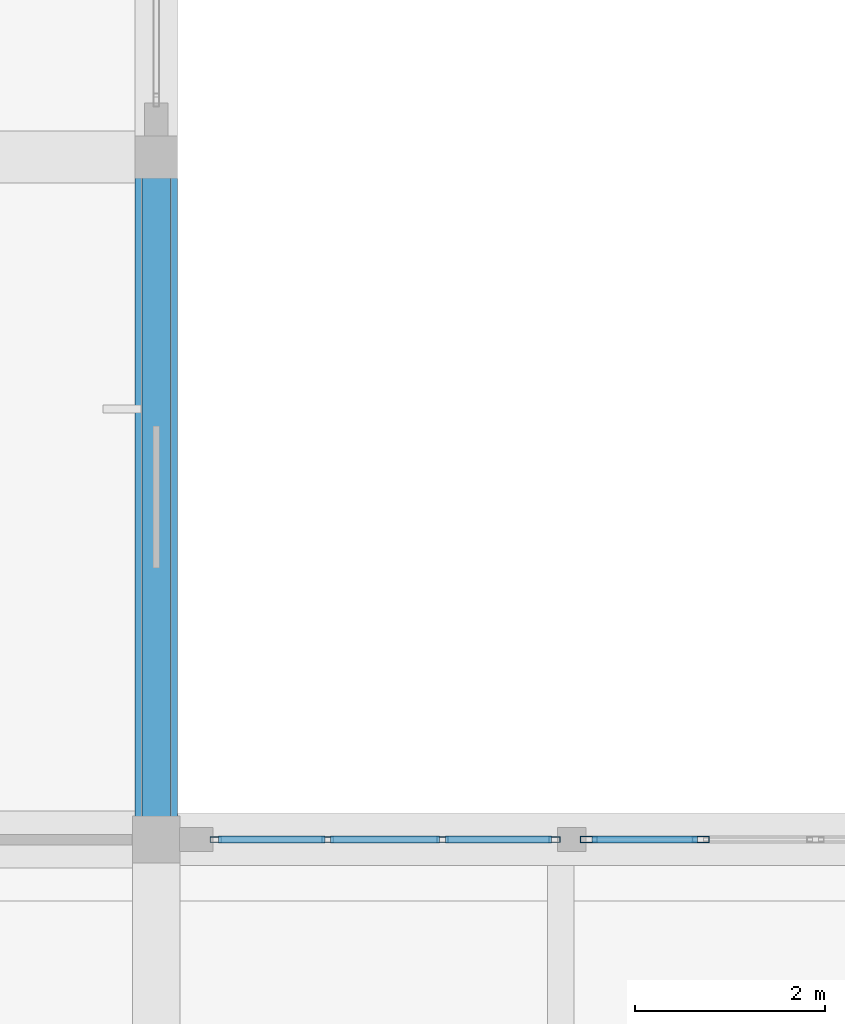
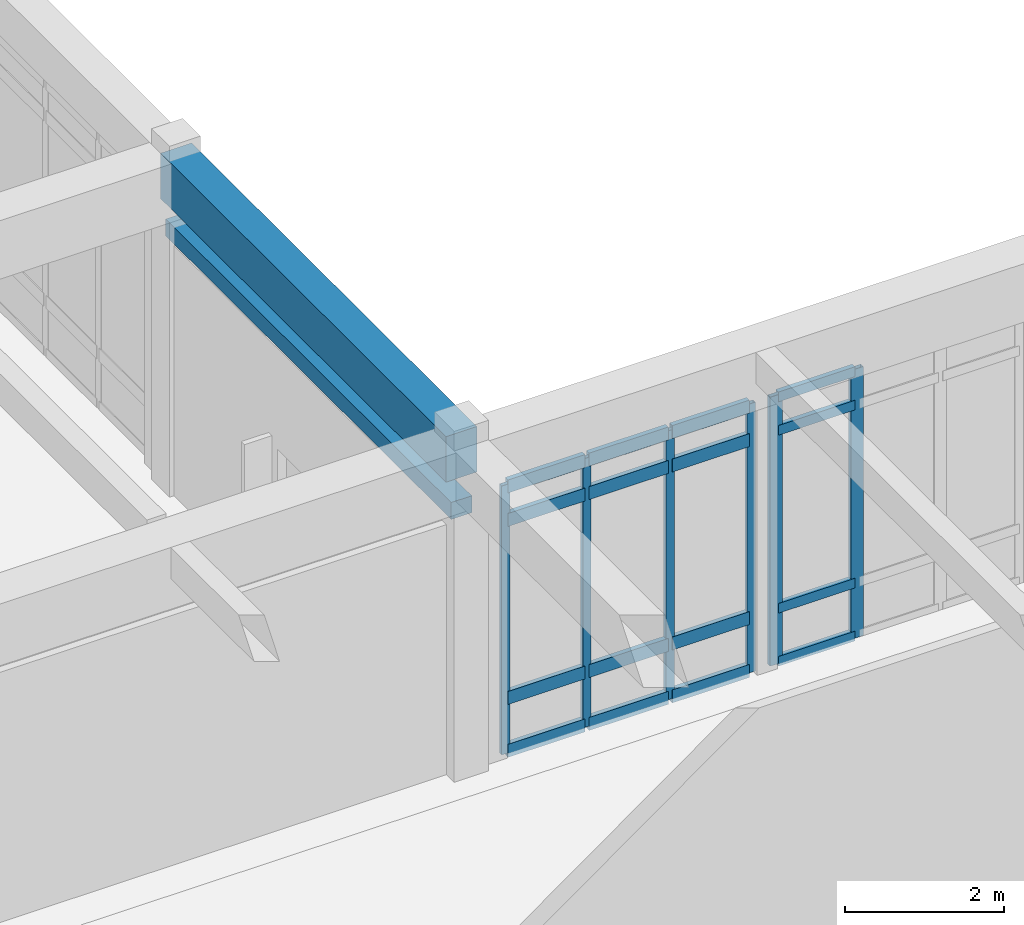
# One storey, part 66 of 138: 22 members, 2 beams, 2 elements without a shape of their own.
"""IFC4 building model written with IfcOpenShell, lengths in metres."""

from ifc_helpers import new_model, si_unit, direction, frame, origin, origin_2d, place, context, subcontext, project, spatial, rectangle, hollow_rectangle, extrude, material, layer, layer_set, material_profile, profile_set, type_object, element, aggregate, save


model = new_model("IFC4")

# Units and contexts
model_context = context("Model", 3, precision=1e-05, world=origin(), true_north=direction((0.0, 1.0)))
body_context = subcontext(model_context, "Body", "Model", "MODEL_VIEW")
ifc_project = project(units=[si_unit("LENGTHUNIT", "METRE"), si_unit("AREAUNIT", "SQUARE_METRE"), si_unit("VOLUMEUNIT", "CUBIC_METRE"), si_unit("PLANEANGLEUNIT", "RADIAN"), si_unit("MASSUNIT", "GRAM", prefix="KILO")], contexts=[model_context])

# Site, building, storey
site_placement = place(None, origin())
site = spatial("IfcSite", under=ifc_project, at=site_placement, CompositionType="ELEMENT")
building_placement = place(site_placement, origin())
building = spatial("IfcBuilding", under=site, at=building_placement, Name="Fikremerkos Civic Library", CompositionType="ELEMENT")
storey_placement = place(building_placement, origin())
storey = spatial("IfcBuildingStorey", under=building, at=storey_placement, Name="L00", CompositionType="ELEMENT", Elevation=0.0)

# Curtain wall, members
ifc_material_1 = material(Name="Anodized aluminium Frame", Category="aluminium")
ifc_layer_1 = layer(ifc_material_1, 0.159912109375, Name="Anodized aluminium Frame")
ifc_layer_set_1 = layer_set([ifc_layer_1], Name="Anodized aluminium Frame")
curtain_wall_type_1 = type_object("IfcCurtainWallType", Name="Unitised curtain wall CW-17 4600x3600", PredefinedType="USERDEFINED", material=ifc_layer_set_1)
curtain_wall_1_placement = place(storey_placement, origin())
curtain_wall_1 = element("IfcCurtainWall", 1, at=curtain_wall_1_placement, inside=storey, type_object=curtain_wall_type_1, Name="Unitised curtain wall CW-17 L00 #71", ObjectType="UNITISED CURTAIN WALL", PredefinedType="USERDEFINED")
ifc_material_profile_1 = material_profile(ifc_material_1, hollow_rectangle(XDim=0.06494140625, YDim=0.179931640625, WallThickness=0.00439453125, at=origin_2d()), Name="ALU 180x65x4.5")
ifc_profile_set_1 = profile_set([ifc_material_profile_1], Name="Anodized aluminium Frame")
member_type_1 = type_object("IfcMemberType", Name="Curtain mullion CWM-01 ALU 180x65x4.5", PredefinedType="MULLION", material=ifc_profile_set_1)
member_1_placement = place(storey_placement, frame((151.76513671875, 40.800048828125, 0.0), z_axis=(0.0, 0.0, 1.0), x_axis=(0.0, 1.0, 0.0)))
member_1 = element("IfcMember", 2, at=member_1_placement, type_object=member_type_1, Name="CW-17 mullion 1", PredefinedType="MULLION", context=body_context, shape_type="SweptSolid", body=[
    extrude(hollow_rectangle(XDim=0.06494140625, YDim=0.179931640625, WallThickness=0.00439453125, at=origin_2d()), origin(), (0.0, 0.0, 1.0), 4.139892578125),
])
member_2_placement = place(storey_placement, frame((152.9443359375, 40.800048828125, 0.0), z_axis=(0.0, 0.0, 1.0), x_axis=(0.0, 1.0, 0.0)))
member_2 = element("IfcMember", 3, at=member_2_placement, type_object=member_type_1, Name="CW-17 mullion 2", PredefinedType="MULLION", context=body_context, shape_type="SweptSolid", body=[
    extrude(hollow_rectangle(XDim=0.06494140625, YDim=0.179931640625, WallThickness=0.00439453125, at=origin_2d()), origin(), (0.0, 0.0, 1.0), 4.139892578125),
])

ifc_layer_2 = layer(ifc_material_1, 0.159912109375, Name="Anodized aluminium Frame")
ifc_layer_set_2 = layer_set([ifc_layer_2], Name="Anodized aluminium Frame")
curtain_wall_type_2 = type_object("IfcCurtainWallType", Name="Unitised curtain wall CW-16 3100x4100", PredefinedType="USERDEFINED", material=ifc_layer_set_2)
curtain_wall_2_placement = place(storey_placement, origin())
curtain_wall_2 = element("IfcCurtainWall", 4, at=curtain_wall_2_placement, inside=storey, type_object=curtain_wall_type_2, Name="Unitised curtain wall CW-16 L00 #70", ObjectType="UNITISED CURTAIN WALL", PredefinedType="USERDEFINED")
ifc_material_profile_2 = material_profile(ifc_material_1, hollow_rectangle(XDim=0.06005859375, YDim=0.1201171875, WallThickness=0.00390625, at=origin_2d()), Name="ALU 120x60x4")
ifc_profile_set_2 = profile_set([ifc_material_profile_2], Name="Anodized aluminium Frame")
member_type_2 = type_object("IfcMemberType", Name="Curtain mullion CWM-04 ALU 120x60x4", PredefinedType="MULLION", material=ifc_profile_set_2)
member_3_placement = place(storey_placement, frame((147.827880859375, 40.800048828125, 0.0), z_axis=(0.0, 0.0, 1.0), x_axis=(0.0, 1.0, 0.0)))
member_3 = element("IfcMember", 5, at=member_3_placement, type_object=member_type_2, Name="CW-16 mullion 1", PredefinedType="MULLION", context=body_context, shape_type="SweptSolid", body=[
    extrude(hollow_rectangle(XDim=0.06005859375, YDim=0.1201171875, WallThickness=0.00390625, at=origin_2d()), origin(), (0.0, 0.0, 1.0), 4.139892578125),
])
member_4_placement = place(storey_placement, frame((149.009521484375, 40.800048828125, 0.0), z_axis=(0.0, 0.0, 1.0), x_axis=(0.0, 1.0, 0.0)))
member_4 = element("IfcMember", 6, at=member_4_placement, type_object=member_type_2, Name="CW-16 mullion 2", PredefinedType="MULLION", context=body_context, shape_type="SweptSolid", body=[
    extrude(hollow_rectangle(XDim=0.06005859375, YDim=0.1201171875, WallThickness=0.00390625, at=origin_2d()), origin(), (0.0, 0.0, 1.0), 4.139892578125),
])
member_5_placement = place(storey_placement, frame((150.22119140625, 40.800048828125, 0.0), z_axis=(0.0, 0.0, 1.0), x_axis=(0.0, 1.0, 0.0)))
member_5 = element("IfcMember", 7, at=member_5_placement, type_object=member_type_2, Name="CW-16 mullion 3", PredefinedType="MULLION", context=body_context, shape_type="SweptSolid", body=[
    extrude(hollow_rectangle(XDim=0.06005859375, YDim=0.1201171875, WallThickness=0.00390625, at=origin_2d()), origin(), (0.0, 0.0, 1.0), 4.139892578125),
])
member_6_placement = place(storey_placement, frame((151.402587890625, 40.800048828125, 0.0), z_axis=(0.0, 0.0, 1.0), x_axis=(0.0, 1.0, 0.0)))
member_6 = element("IfcMember", 8, at=member_6_placement, type_object=member_type_2, Name="CW-16 mullion 4", PredefinedType="MULLION", context=body_context, shape_type="SweptSolid", body=[
    extrude(hollow_rectangle(XDim=0.06005859375, YDim=0.1201171875, WallThickness=0.00390625, at=origin_2d()), origin(), (0.0, 0.0, 1.0), 4.139892578125),
])

# Member
ifc_material_profile_3 = material_profile(ifc_material_1, hollow_rectangle(XDim=0.070068359375, YDim=0.14990234375, WallThickness=0.00439453125, at=origin_2d()), Name="ALU 150x70x4.5")
ifc_profile_set_3 = profile_set([ifc_material_profile_3], Name="Anodized aluminium Frame")
member_type_3 = type_object("IfcMemberType", Name="Curtain transom CWT-01 ALU 150x70x4.5", PredefinedType="USERDEFINED", material=ifc_profile_set_3)
member_7_placement = place(storey_placement, frame((151.797607421875, 40.800048828125, 0.034912109375), z_axis=(1.0, 0.0, 0.0), x_axis=(0.0, 1.0, 0.0)))
member_7 = element("IfcMember", 9, at=member_7_placement, type_object=member_type_3, Name="CW-17 transom 1.1", ObjectType="TRANSOM", PredefinedType="USERDEFINED", context=body_context, shape_type="SweptSolid", body=[
    extrude(hollow_rectangle(XDim=0.070068359375, YDim=0.14990234375, WallThickness=0.00439453125, at=origin_2d()), origin(), (0.0, 0.0, 1.0), 1.114013671875),
])

member_8_placement = place(storey_placement, frame((151.797607421875, 40.800048828125, 0.85009765625), z_axis=(1.0, 0.0, 0.0), x_axis=(0.0, 1.0, 0.0)))
member_8 = element("IfcMember", 10, at=member_8_placement, type_object=member_type_3, Name="CW-17 transom 1.2", ObjectType="TRANSOM", PredefinedType="USERDEFINED", context=body_context, shape_type="SweptSolid", body=[
    extrude(hollow_rectangle(XDim=0.070068359375, YDim=0.14990234375, WallThickness=0.00439453125, at=origin_2d()), origin(), (0.0, 0.0, 1.0), 1.114013671875),
])

member_9_placement = place(storey_placement, frame((151.797607421875, 40.800048828125, 3.590087890625), z_axis=(1.0, 0.0, 0.0), x_axis=(0.0, 1.0, 0.0)))
member_9 = element("IfcMember", 11, at=member_9_placement, type_object=member_type_3, Name="CW-17 transom 1.3", ObjectType="TRANSOM", PredefinedType="USERDEFINED", context=body_context, shape_type="SweptSolid", body=[
    extrude(hollow_rectangle(XDim=0.070068359375, YDim=0.14990234375, WallThickness=0.00439453125, at=origin_2d()), origin(), (0.0, 0.0, 1.0), 1.114013671875),
])

member_10_placement = place(storey_placement, frame((151.797607421875, 40.800048828125, 4.10498046875), z_axis=(1.0, 0.0, 0.0), x_axis=(0.0, 1.0, 0.0)))
member_10 = element("IfcMember", 12, at=member_10_placement, type_object=member_type_3, Name="CW-17 transom 1.4", ObjectType="TRANSOM", PredefinedType="USERDEFINED", context=body_context, shape_type="SweptSolid", body=[
    extrude(hollow_rectangle(XDim=0.070068359375, YDim=0.14990234375, WallThickness=0.00439453125, at=origin_2d()), origin(), (0.0, 0.0, 1.0), 1.114013671875),
])

aggregate(curtain_wall_1, [member_1, member_2, member_7, member_8, member_9, member_10])

ifc_material_profile_4 = material_profile(ifc_material_1, hollow_rectangle(XDim=0.070068359375, YDim=0.199951171875, WallThickness=0.0048828125, at=origin_2d()), Name="ALU 200x70x5")
ifc_profile_set_4 = profile_set([ifc_material_profile_4], Name="Anodized aluminium Frame")
member_type_4 = type_object("IfcMemberType", Name="Curtain transom CWT-04 ALU 200x70x5", PredefinedType="USERDEFINED", material=ifc_profile_set_4)
member_11_placement = place(storey_placement, frame((147.85791015625, 40.800048828125, 0.034912109375), z_axis=(1.0, 0.0, 0.0), x_axis=(0.0, 1.0, 0.0)))
member_11 = element("IfcMember", 13, at=member_11_placement, type_object=member_type_4, Name="CW-16 transom 1.1", ObjectType="TRANSOM", PredefinedType="USERDEFINED", context=body_context, shape_type="SweptSolid", body=[
    extrude(hollow_rectangle(XDim=0.070068359375, YDim=0.199951171875, WallThickness=0.0048828125, at=origin_2d()), origin(), (0.0, 0.0, 1.0), 1.12158203125),
])

member_12_placement = place(storey_placement, frame((147.85791015625, 40.800048828125, 0.85009765625), z_axis=(1.0, 0.0, 0.0), x_axis=(0.0, 1.0, 0.0)))
member_12 = element("IfcMember", 14, at=member_12_placement, type_object=member_type_4, Name="CW-16 transom 1.2", ObjectType="TRANSOM", PredefinedType="USERDEFINED", context=body_context, shape_type="SweptSolid", body=[
    extrude(hollow_rectangle(XDim=0.070068359375, YDim=0.199951171875, WallThickness=0.0048828125, at=origin_2d()), origin(), (0.0, 0.0, 1.0), 1.12158203125),
])

member_13_placement = place(storey_placement, frame((147.85791015625, 40.800048828125, 3.590087890625), z_axis=(1.0, 0.0, 0.0), x_axis=(0.0, 1.0, 0.0)))
member_13 = element("IfcMember", 15, at=member_13_placement, type_object=member_type_4, Name="CW-16 transom 1.3", ObjectType="TRANSOM", PredefinedType="USERDEFINED", context=body_context, shape_type="SweptSolid", body=[
    extrude(hollow_rectangle(XDim=0.070068359375, YDim=0.199951171875, WallThickness=0.0048828125, at=origin_2d()), origin(), (0.0, 0.0, 1.0), 1.12158203125),
])

member_14_placement = place(storey_placement, frame((147.85791015625, 40.800048828125, 4.10498046875), z_axis=(1.0, 0.0, 0.0), x_axis=(0.0, 1.0, 0.0)))
member_14 = element("IfcMember", 16, at=member_14_placement, type_object=member_type_4, Name="CW-16 transom 1.4", ObjectType="TRANSOM", PredefinedType="USERDEFINED", context=body_context, shape_type="SweptSolid", body=[
    extrude(hollow_rectangle(XDim=0.070068359375, YDim=0.199951171875, WallThickness=0.0048828125, at=origin_2d()), origin(), (0.0, 0.0, 1.0), 1.12158203125),
])

member_15_placement = place(storey_placement, frame((149.03955078125, 40.800048828125, 0.034912109375), z_axis=(1.0, 0.0, 0.0), x_axis=(0.0, 1.0, 0.0)))
member_15 = element("IfcMember", 17, at=member_15_placement, type_object=member_type_4, Name="CW-16 transom 2.1", ObjectType="TRANSOM", PredefinedType="USERDEFINED", context=body_context, shape_type="SweptSolid", body=[
    extrude(hollow_rectangle(XDim=0.070068359375, YDim=0.199951171875, WallThickness=0.0048828125, at=origin_2d()), origin(), (0.0, 0.0, 1.0), 1.151611328125),
])

member_16_placement = place(storey_placement, frame((149.03955078125, 40.800048828125, 0.85009765625), z_axis=(1.0, 0.0, 0.0), x_axis=(0.0, 1.0, 0.0)))
member_16 = element("IfcMember", 18, at=member_16_placement, type_object=member_type_4, Name="CW-16 transom 2.2", ObjectType="TRANSOM", PredefinedType="USERDEFINED", context=body_context, shape_type="SweptSolid", body=[
    extrude(hollow_rectangle(XDim=0.070068359375, YDim=0.199951171875, WallThickness=0.0048828125, at=origin_2d()), origin(), (0.0, 0.0, 1.0), 1.151611328125),
])

member_17_placement = place(storey_placement, frame((149.03955078125, 40.800048828125, 3.590087890625), z_axis=(1.0, 0.0, 0.0), x_axis=(0.0, 1.0, 0.0)))
member_17 = element("IfcMember", 19, at=member_17_placement, type_object=member_type_4, Name="CW-16 transom 2.3", ObjectType="TRANSOM", PredefinedType="USERDEFINED", context=body_context, shape_type="SweptSolid", body=[
    extrude(hollow_rectangle(XDim=0.070068359375, YDim=0.199951171875, WallThickness=0.0048828125, at=origin_2d()), origin(), (0.0, 0.0, 1.0), 1.151611328125),
])

member_18_placement = place(storey_placement, frame((149.03955078125, 40.800048828125, 4.10498046875), z_axis=(1.0, 0.0, 0.0), x_axis=(0.0, 1.0, 0.0)))
member_18 = element("IfcMember", 20, at=member_18_placement, type_object=member_type_4, Name="CW-16 transom 2.4", ObjectType="TRANSOM", PredefinedType="USERDEFINED", context=body_context, shape_type="SweptSolid", body=[
    extrude(hollow_rectangle(XDim=0.070068359375, YDim=0.199951171875, WallThickness=0.0048828125, at=origin_2d()), origin(), (0.0, 0.0, 1.0), 1.151611328125),
])

member_19_placement = place(storey_placement, frame((150.251220703125, 40.800048828125, 0.034912109375), z_axis=(1.0, 0.0, 0.0), x_axis=(0.0, 1.0, 0.0)))
member_19 = element("IfcMember", 21, at=member_19_placement, type_object=member_type_4, Name="CW-16 transom 3.1", ObjectType="TRANSOM", PredefinedType="USERDEFINED", context=body_context, shape_type="SweptSolid", body=[
    extrude(hollow_rectangle(XDim=0.070068359375, YDim=0.199951171875, WallThickness=0.0048828125, at=origin_2d()), origin(), (0.0, 0.0, 1.0), 1.121337890625),
])

member_20_placement = place(storey_placement, frame((150.251220703125, 40.800048828125, 0.85009765625), z_axis=(1.0, 0.0, 0.0), x_axis=(0.0, 1.0, 0.0)))
member_20 = element("IfcMember", 22, at=member_20_placement, type_object=member_type_4, Name="CW-16 transom 3.2", ObjectType="TRANSOM", PredefinedType="USERDEFINED", context=body_context, shape_type="SweptSolid", body=[
    extrude(hollow_rectangle(XDim=0.070068359375, YDim=0.199951171875, WallThickness=0.0048828125, at=origin_2d()), origin(), (0.0, 0.0, 1.0), 1.121337890625),
])

member_21_placement = place(storey_placement, frame((150.251220703125, 40.800048828125, 3.590087890625), z_axis=(1.0, 0.0, 0.0), x_axis=(0.0, 1.0, 0.0)))
member_21 = element("IfcMember", 23, at=member_21_placement, type_object=member_type_4, Name="CW-16 transom 3.3", ObjectType="TRANSOM", PredefinedType="USERDEFINED", context=body_context, shape_type="SweptSolid", body=[
    extrude(hollow_rectangle(XDim=0.070068359375, YDim=0.199951171875, WallThickness=0.0048828125, at=origin_2d()), origin(), (0.0, 0.0, 1.0), 1.121337890625),
])

member_22_placement = place(storey_placement, frame((150.251220703125, 40.800048828125, 4.10498046875), z_axis=(1.0, 0.0, 0.0), x_axis=(0.0, 1.0, 0.0)))
member_22 = element("IfcMember", 24, at=member_22_placement, type_object=member_type_4, Name="CW-16 transom 3.4", ObjectType="TRANSOM", PredefinedType="USERDEFINED", context=body_context, shape_type="SweptSolid", body=[
    extrude(hollow_rectangle(XDim=0.070068359375, YDim=0.199951171875, WallThickness=0.0048828125, at=origin_2d()), origin(), (0.0, 0.0, 1.0), 1.121337890625),
])

aggregate(curtain_wall_2, [member_3, member_4, member_5, member_6, member_11, member_12, member_13, member_14, member_15, member_16, member_17, member_18, member_19, member_20, member_21, member_22])

# Beams
ifc_material_2 = material(Name="Concrete C40/50", Category="concrete")
ifc_material_profile_5 = material_profile(ifc_material_2, rectangle(XDim=0.300048828125, YDim=0.260009765625, at=origin_2d()), Name="RC 300x260")
ifc_profile_set_5 = profile_set([ifc_material_profile_5], Name="Concrete C40/50")
beam_type_1 = type_object("IfcBeamType", Name="Opening lintel LNT-02 RC 300x260", PredefinedType="LINTEL", material=ifc_profile_set_5)
beam_1_placement = place(storey_placement, frame((147.199951171875, 48.0, 3.989990234375), z_axis=(0.0, -1.0, 0.0), x_axis=(1.0, 0.0, 0.0)))
element("IfcBeam", 25, at=beam_1_placement, inside=storey, type_object=beam_type_1, Name="Courtyard window head lintel LNT-02 L00 #10", PredefinedType="LINTEL", context=body_context, shape_type="SweptSolid", body=[
    extrude(rectangle(XDim=0.300048828125, YDim=0.260009765625, at=origin_2d()), origin(), (0.0, 0.0, 1.0), 7.199951171875),
])
ifc_material_profile_6 = material_profile(ifc_material_2, rectangle(XDim=0.449951171875, YDim=0.699951171875, at=origin_2d()), Name="RC 450x700")
ifc_profile_set_6 = profile_set([ifc_material_profile_6], Name="Concrete C40/50")
beam_type_2 = type_object("IfcBeamType", Name="Primary girder BM-06 RC 450x700", PredefinedType="BEAM", material=ifc_profile_set_6)
beam_2_placement = place(storey_placement, frame((147.199951171875, 40.800048828125, 4.81005859375), z_axis=(0.0, 1.0, 0.0), x_axis=(-1.0, 0.0, 0.0)))
element("IfcBeam", 26, at=beam_2_placement, inside=storey, type_object=beam_type_2, Name="Primary girder BM-06 L00 grid 13", PredefinedType="BEAM", context=body_context, shape_type="SweptSolid", body=[
    extrude(rectangle(XDim=0.449951171875, YDim=0.699951171875, at=origin_2d()), origin(), (0.0, 0.0, 1.0), 7.199951171875),
])

save(model, "model.ifc")
